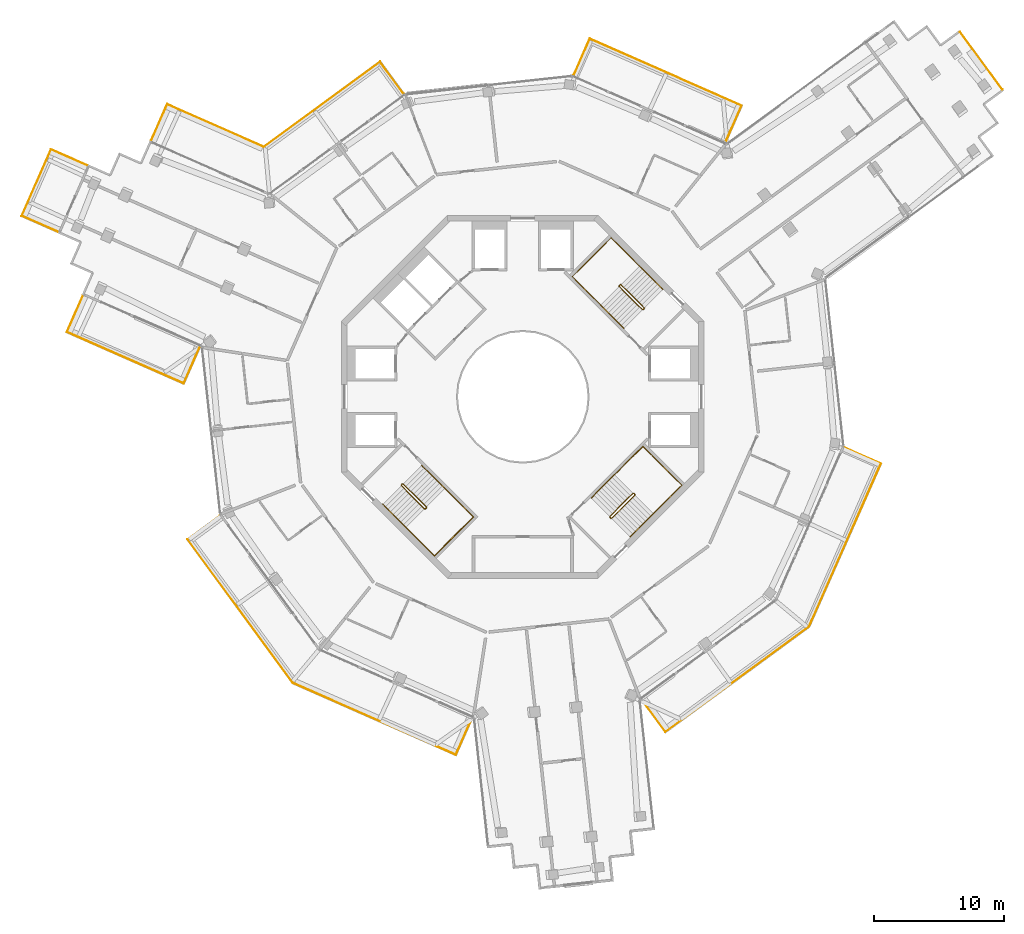
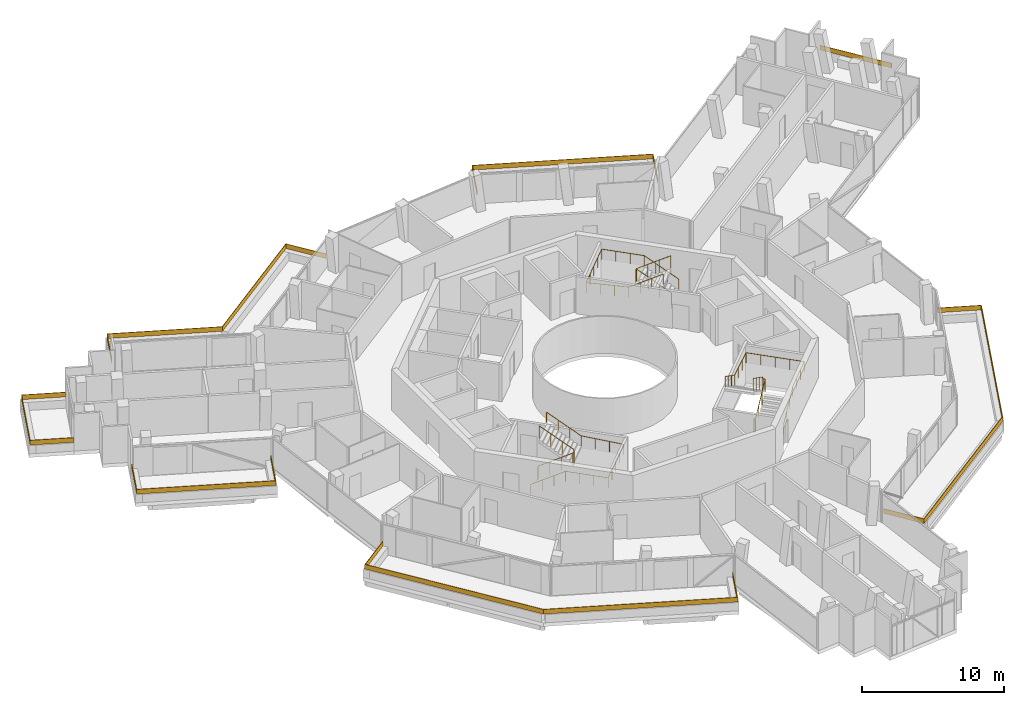
# One storey, part 24 of 24: 13 railings.
"""IFC4 building model written with IfcOpenShell, lengths in metres."""

import ifcopenshell
import ifcopenshell.guid

model = None  # the IFC model being written
_history = None  # IfcOwnerHistory: only IFC2X3 demands one
_inside = {}  # id of a spatial element -> (the spatial element, [elements in it])
_under = {}  # id of a project, library or spatial element -> (it, [spatial elements below it])
_declared = {}  # id of a project -> (the project, [libraries it declares])
_typed = {}  # id of a type object -> (the type object, [elements of that type])
_made_of = {}  # id of a material, layer set ... -> (it, [elements and type objects made of it])


def new_model(schema):
    """Start an empty IFC model of exactly this schema.

    Asked for "IFC4X3", IfcOpenShell would pick the latest addendum, in which some entities
    have other attributes; the version numbers below select the first issue.
    IFC2X3 requires an IfcOwnerHistory on every rooted entity: one is made here for all.
    """
    global model, _history
    if schema == "IFC4X3":
        model = ifcopenshell.file(schema_version=(4, 3, 0, 0))
    else:
        model = ifcopenshell.file(schema=schema)
    _inside.clear()
    _under.clear()
    _declared.clear()
    _typed.clear()
    _made_of.clear()
    _history = None
    if model.schema == "IFC2X3":
        org = make("IfcOrganization", Name="unknown")
        user = make(
            "IfcPersonAndOrganization",
            ThePerson=make("IfcPerson", FamilyName="unknown"),
            TheOrganization=org,
        )
        app = make(
            "IfcApplication",
            ApplicationDeveloper=org,
            Version="unknown",
            ApplicationFullName="unknown",
            ApplicationIdentifier="unknown",
        )
        _history = make(
            "IfcOwnerHistory",
            OwningUser=user,
            OwningApplication=app,
            ChangeAction="ADDED",
            CreationDate=0,
        )
    return model


def make(cls, **values):
    """One entity of the class cls with the attributes given. An attribute that is None is left unset."""
    return model.create_entity(
        cls, **{name: value for name, value in values.items() if value is not None}
    )


def rooted(cls, **values):
    """An entity with a GlobalId (a new one), such as an element, a storey or a relation."""
    return make(cls, GlobalId=ifcopenshell.guid.new(), OwnerHistory=_history, **values)


def si_unit(unit_type, name, prefix=None):
    """IfcSIUnit, for example si_unit("LENGTHUNIT", "METRE", prefix="MILLI")."""
    return make("IfcSIUnit", UnitType=unit_type, Prefix=prefix, Name=name)


def assignment(units):
    """IfcUnitAssignment: the units of a project."""
    return None if units is None else make("IfcUnitAssignment", Units=units)


def point(xyz):
    """IfcCartesianPoint."""
    return None if xyz is None else make("IfcCartesianPoint", Coordinates=xyz)


def direction(xyz):
    """IfcDirection."""
    return None if xyz is None else make("IfcDirection", DirectionRatios=xyz)


def frame(location, z_axis=None, x_axis=None):
    """IfcAxis2Placement3D, a coordinate frame: its origin and axes. An axis left out is left unset."""
    return make(
        "IfcAxis2Placement3D",
        Location=point(location),
        Axis=direction(z_axis),
        RefDirection=direction(x_axis),
    )


def frame_2d(location, x_axis=None):
    """IfcAxis2Placement2D, a coordinate frame in the plane: its origin and x axis."""
    return make(
        "IfcAxis2Placement2D", Location=point(location), RefDirection=direction(x_axis)
    )


def origin():
    """The frame at (0, 0, 0) with its axes left unset."""
    return frame((0.0, 0.0, 0.0))


def origin_2d():
    """The frame at (0, 0) in the plane with its x axis left unset."""
    return frame_2d((0.0, 0.0))


def place(relative_to, where):
    """IfcLocalPlacement: puts the frame where relative to a parent placement (None: the world)."""
    return make(
        "IfcLocalPlacement", PlacementRelTo=relative_to, RelativePlacement=where
    )


def context(
    kind, dimensions, precision=None, world=None, true_north=None, identifier=None
):
    """IfcGeometricRepresentationContext, for example the 3D "Model" context."""
    return make(
        "IfcGeometricRepresentationContext",
        ContextIdentifier=identifier,
        ContextType=kind,
        CoordinateSpaceDimension=dimensions,
        Precision=precision,
        WorldCoordinateSystem=world,
        TrueNorth=true_north,
    )


def subcontext(parent, identifier, kind, view, scale=None):
    """IfcGeometricRepresentationSubContext, for example "Body" below "Model"."""
    return make(
        "IfcGeometricRepresentationSubContext",
        ContextIdentifier=identifier,
        ContextType=kind,
        ParentContext=parent,
        TargetScale=scale,
        TargetView=view,
    )


def project(units=None, contexts=None):
    """IfcProject with its units and contexts."""
    return rooted(
        "IfcProject",
        Name="project",
        RepresentationContexts=contexts,
        UnitsInContext=assignment(units),
    )


def spatial(cls, under=None, at=None, **own):
    """A site, building, storey or space (cls), placed at a placement, below another one or the project."""
    s = rooted(cls, ObjectPlacement=at, **own)
    if under is not None:
        _under.setdefault(under.id(), (under, []))[1].append(s)
    return s


def polyline(points):
    """IfcPolyline through the points."""
    return make("IfcPolyline", Points=[point(p) for p in points])


def profile(cls, at=None, kind="AREA", **sizes):
    """A parametric profile (cls). Its sizes go by their IFC names, for example OverallWidth=200.0."""
    return make(cls, ProfileType=kind, Position=at, **sizes)


def rectangle(**sizes):
    """IfcRectangleProfileDef."""
    return profile("IfcRectangleProfileDef", **sizes)


def circle(**sizes):
    """IfcCircleProfileDef."""
    return profile("IfcCircleProfileDef", **sizes)


def outline(outer, holes=None, kind="AREA"):
    """IfcArbitraryClosedProfileDef: a profile drawn as a closed curve; with holes, ...WithVoids."""
    if holes is None:
        return make("IfcArbitraryClosedProfileDef", ProfileType=kind, OuterCurve=outer)
    return make(
        "IfcArbitraryProfileDefWithVoids",
        ProfileType=kind,
        OuterCurve=outer,
        InnerCurves=holes,
    )


def extrude(swept, where, along, depth):
    """IfcExtrudedAreaSolid: the profile swept, set in the frame where, extruded along a direction by depth."""
    return make(
        "IfcExtrudedAreaSolid",
        SweptArea=swept,
        Position=where,
        ExtrudedDirection=direction(along),
        Depth=depth,
    )


def shape(context_of_items, identifier, shape_type, items):
    """IfcShapeRepresentation: the items that make up one representation, for example the "Body"."""
    return make(
        "IfcShapeRepresentation",
        ContextOfItems=context_of_items,
        RepresentationIdentifier=identifier,
        RepresentationType=shape_type,
        Items=items,
    )


def material(Name=None, Category=None):
    """IfcMaterial."""
    return make("IfcMaterial", Name=Name, Category=Category)


def layer(
    of_material, thickness, ventilated=None, Name=None, Category=None, Priority=None
):
    """IfcMaterialLayer: one layer of a wall or slab, of a material (None: an air gap)."""
    return make(
        "IfcMaterialLayer",
        Material=of_material,
        LayerThickness=thickness,
        IsVentilated=ventilated,
        Name=Name,
        Category=Category,
        Priority=Priority,
    )


def layer_set(layers, Name=None):
    """IfcMaterialLayerSet."""
    return make("IfcMaterialLayerSet", MaterialLayers=layers, LayerSetName=Name)


def made_of(thing, what):
    """Note that an element or type object is made of a material, layer set ...; save() writes the relation."""
    if what is not None:
        _made_of.setdefault(what.id(), (what, []))[1].append(thing)
    return thing


def type_object(cls, material=None, **own):
    """A type object (cls), such as IfcWallType, which elements share."""
    return made_of(rooted(cls, **own), material)


def element(
    cls,
    number,
    at=None,
    inside=None,
    cuts=None,
    type_object=None,
    material=None,
    context=None,
    identifier="Body",
    shape_type=None,
    held_by="IfcProductDefinitionShape",
    body=None,
    shapes=None,
    **own,
):
    """One element of the class cls, such as IfcWall. Its Tag is "e" and its number.

    at: its placement. inside: the storey or other place that contains it. cuts: it is an
    opening in that element (IfcRelVoidsElement). A single representation is given by context,
    identifier, shape_type and body (its items); several are given by shapes. held_by: the class
    of the entity that holds the representations. save() writes the other relations.
    """
    e = rooted(cls, Tag="e%d" % number, ObjectPlacement=at, **own)
    if body is not None:
        shapes = [shape(context, identifier, shape_type, body)]
    if shapes is not None:
        e.Representation = make(held_by, Representations=shapes)
    if inside is not None:
        _inside.setdefault(inside.id(), (inside, []))[1].append(e)
    if cuts is not None:
        rooted(
            "IfcRelVoidsElement", RelatingBuildingElement=cuts, RelatedOpeningElement=e
        )
    if type_object is not None:
        _typed.setdefault(type_object.id(), (type_object, []))[1].append(e)
    return made_of(e, material)


def aggregate(whole, parts):
    """IfcRelAggregates: a whole, such as a stair, and the parts it consists of."""
    return rooted("IfcRelAggregates", RelatingObject=whole, RelatedObjects=parts)


def save(model, path):
    """Write the relations noted so far, then the file.

    IfcRelAggregates (storeys below a building ...), IfcRelContainedInSpatialStructure (elements
    in a storey), IfcRelDefinesByType, IfcRelAssociatesMaterial and IfcRelDeclares: one each for
    every whole, place, type object, material and project.
    """
    for whole, parts in _under.values():
        aggregate(whole, parts)
    for where, things in _inside.values():
        rooted(
            "IfcRelContainedInSpatialStructure",
            RelatedElements=things,
            RelatingStructure=where,
        )
    for kind, things in _typed.values():
        rooted("IfcRelDefinesByType", RelatedObjects=things, RelatingType=kind)
    for what, things in _made_of.values():
        rooted("IfcRelAssociatesMaterial", RelatedObjects=things, RelatingMaterial=what)
    for by, libraries in _declared.values():
        rooted("IfcRelDeclares", RelatingContext=by, RelatedDefinitions=libraries)
    model.write(path)


model = new_model("IFC4")

# Units and contexts
model_context = context("Model", 3, precision=1e-05, world=origin(), true_north=direction((0.0, 1.0)))
body_context = subcontext(model_context, "Body", "Model", "MODEL_VIEW")
ifc_project = project(units=[si_unit("LENGTHUNIT", "METRE"), si_unit("AREAUNIT", "SQUARE_METRE"), si_unit("VOLUMEUNIT", "CUBIC_METRE"), si_unit("PLANEANGLEUNIT", "RADIAN"), si_unit("MASSUNIT", "GRAM", prefix="KILO")], contexts=[model_context])

# Site, building, storey
site_placement = place(None, origin())
site = spatial("IfcSite", under=ifc_project, at=site_placement, CompositionType="ELEMENT")
building_placement = place(site_placement, origin())
building = spatial("IfcBuilding", under=site, at=building_placement, Name="Verdalira Terraces Hotel", CompositionType="ELEMENT")
storey_placement = place(building_placement, frame((0.0, 0.0, 303.0)))
storey = spatial("IfcBuildingStorey", under=building, at=storey_placement, Name="L75", CompositionType="ELEMENT", Elevation=303.0)

# Railings
ifc_material_1 = material(Name="Laminated glass", Category="glass")
ifc_layer = layer(ifc_material_1, 0.0400390625)
ifc_layer_set = layer_set([ifc_layer], Name="Balcony glass guard 400")
railing_type_1 = type_object("IfcRailingType", Name="Balcony glass guard 400", PredefinedType="GUARDRAIL", material=ifc_layer_set)
railing_1_placement = place(storey_placement, frame((0.0, 0.0, 0.699951)))
element("IfcRailing", 1, at=railing_1_placement, inside=storey, type_object=railing_type_1, Name="Balcony glass guard", PredefinedType="GUARDRAIL", context=body_context, shape_type="SweptSolid", body=[
    extrude(outline(polyline([(-36.389893, 19.056885), (-38.629883, 13.968262), (-35.812012, 12.727539), (-35.828125, 12.690918), (-38.682617, 13.947754), (-36.410156, 19.109619), (-33.555664, 17.853027), (-33.571777, 17.816406), (-36.389893, 19.056885)])), origin(), (0.0, 0.0, 1.0), 0.400146),
])
railing_2_placement = place(storey_placement, frame((0.0, 0.0, 0.699951)))
element("IfcRailing", 2, at=railing_2_placement, inside=storey, type_object=railing_type_1, Name="Balcony glass guard", PredefinedType="GUARDRAIL", context=body_context, shape_type="SweptSolid", body=[
    extrude(outline(polyline([(-35.145996, 5.004883), (-26.171875, 1.054199), (-24.931396, 3.872314), (-24.894775, 3.856201), (-26.151367, 1.001465), (-35.19873, 4.984375), (-33.942139, 7.838867), (-33.905518, 7.822754), (-35.145996, 5.004883)])), origin(), (0.0, 0.0, 1.0), 0.400146),
])
railing_3_placement = place(storey_placement, frame((0.0, 0.0, 0.699951)))
element("IfcRailing", 3, at=railing_3_placement, inside=storey, type_object=railing_type_1, Name="Balcony glass guard", PredefinedType="GUARDRAIL", context=body_context, shape_type="SweptSolid", body=[
    extrude(outline(polyline([(-25.821289, -11.015869), (-17.719238, -22.069824), (-5.175537, -27.591797), (-3.935059, -24.773682), (-3.898438, -24.789795), (-5.155029, -27.644531), (-17.745117, -22.102051), (-25.877197, -11.00708), (-23.361572, -9.16333), (-23.337891, -9.195557), (-25.821289, -11.015869)])), origin(), (0.0, 0.0, 1.0), 0.400146),
])
railing_4_placement = place(storey_placement, frame((0.0, 0.0, 0.699951)))
element("IfcRailing", 4, at=railing_4_placement, inside=storey, type_object=railing_type_1, Name="Balcony glass guard", PredefinedType="GUARDRAIL", context=body_context, shape_type="SweptSolid", body=[
    extrude(outline(polyline([(11.015869, -25.821289), (22.069824, -17.719238), (27.591797, -5.175537), (24.773682, -3.935059), (24.789795, -3.898438), (27.644531, -5.155029), (22.102051, -17.745117), (11.00708, -25.877197), (9.16333, -23.361572), (9.195557, -23.337891), (11.015869, -25.821289)])), origin(), (0.0, 0.0, 1.0), 0.400146),
])
railing_5_placement = place(storey_placement, frame((0.0, 0.0, 0.699951)))
element("IfcRailing", 5, at=railing_5_placement, inside=storey, type_object=railing_type_1, Name="Balcony glass guard", PredefinedType="GUARDRAIL", context=body_context, shape_type="SweptSolid", body=[
    extrude(outline(polyline([(16.854004, 22.450684), (5.175537, 27.591797), (3.935059, 24.773682), (3.898438, 24.789795), (5.155029, 27.644531), (16.906738, 22.471191), (15.650146, 19.616455), (15.613525, 19.632568), (16.854004, 22.450684)])), origin(), (0.0, 0.0, 1.0), 0.400146),
])
railing_6_placement = place(storey_placement, frame((0.0, 0.0, 0.699951)))
element("IfcRailing", 6, at=railing_6_placement, inside=storey, type_object=railing_type_1, Name="Balcony glass guard", PredefinedType="GUARDRAIL", context=body_context, shape_type="SweptSolid", body=[
    extrude(outline(polyline([(-11.015869, 25.821289), (-19.969971, 19.258301), (-27.42627, 22.540771), (-28.666992, 19.722656), (-28.703613, 19.73877), (-27.446777, 22.593506), (-19.974854, 19.304199), (-11.00708, 25.877197), (-9.16333, 23.361572), (-9.195557, 23.337891), (-11.015869, 25.821289)])), origin(), (0.0, 0.0, 1.0), 0.400146),
])
railing_7_placement = place(storey_placement, frame((35.370117, 25.924805, 0.699951), z_axis=(0.0, 0.0, 1.0), x_axis=(-0.591168888, 0.806547795, 0.0)))
element("IfcRailing", 7, at=railing_7_placement, inside=storey, type_object=railing_type_1, Name="Loggia glass guard", PredefinedType="GUARDRAIL", context=body_context, shape_type="SweptSolid", body=[
    extrude(rectangle(XDim=5.5, YDim=0.040039, at=origin_2d()), origin(), (0.0, 0.0, 1.0), 0.399902),
])
ifc_material_2 = material(Name="Stainless steel", Category="steel")
railing_type_2 = type_object("IfcRailingType", Name="Stair guard 1100", PredefinedType="GUARDRAIL", material=ifc_material_2)
railing_8_placement = place(storey_placement, frame((9.369141, 6.78833, 0.0)))
element("IfcRailing", 8, at=railing_8_placement, inside=storey, type_object=railing_type_2, Name="L75 ST1 stair guard 1", PredefinedType="GUARDRAIL", context=body_context, shape_type="SweptSolid", body=[
    extrude(circle(Radius=0.023926, at=origin_2d()), frame((0.0, 0.0, 1.076172), z_axis=(-0.707106781, -0.707106781, 0.0), x_axis=(0.707106781, -0.707106781, 0.0)), (0.0, 0.0, 1.0), 0.100098),
    extrude(circle(Radius=0.023926, at=origin_2d()), frame((-0.070801, -0.070801, 1.076172), z_axis=(0.300162975, 0.599290904, 0.742127078), x_axis=(-0.894118129, 0.447831187, 0.0)), (0.0, 0.0, 1.0), 0.23584),
    extrude(circle(Radius=0.023926, at=origin_2d()), frame((0.0, 0.070557, 1.250977), z_axis=(-0.599637504, 0.599637504, 0.52997144), x_axis=(-0.707106781, -0.707106781, 0.0)), (0.0, 0.0, 1.0), 2.97168),
    extrude(circle(Radius=0.023926, at=origin_2d()), frame((-1.781982, 1.852539, 2.826172), z_axis=(-1.0, 0.0, 0.0), x_axis=(0.0, -1.0, 0.0)), (0.0, 0.0, 1.0), 0.070557),
    extrude(circle(Radius=0.023926, at=origin_2d()), frame((-1.852539, 1.852539, 2.826172), z_axis=(-0.707106781, -0.707106781, 0.0), x_axis=(0.707106781, -0.707106781, 0.0)), (0.0, 0.0, 1.0), 0.100098),
    extrude(circle(Radius=0.023926, at=origin_2d()), frame((-1.92334, 1.781738, 2.826172), z_axis=(0.0, -0.373842709, 0.927492118), x_axis=(1.0, 0.0, 0.0)), (0.0, 0.0, 1.0), 0.188721),
    extrude(circle(Radius=0.023926, at=origin_2d()), frame((-1.92334, 1.711182, 3.000977), z_axis=(0.599637504, -0.599637504, 0.52997144), x_axis=(0.707106781, 0.707106781, 0.0)), (0.0, 0.0, 1.0), 2.97168),
    extrude(circle(Radius=0.020996, at=origin_2d()), origin(), (0.0, 0.0, 1.0), 1.052002),
    extrude(circle(Radius=0.020996, at=origin_2d()), frame((-0.070801, -0.070801, 0.0)), (0.0, 0.0, 1.0), 1.052002),
    extrude(circle(Radius=0.020996, at=origin_2d()), frame((0.0, 0.070557, 0.175049)), (0.0, 0.0, 1.0), 1.052002),
    extrude(circle(Radius=0.020996, at=origin_2d()), frame((-0.593994, 0.664551, 0.699951)), (0.0, 0.0, 1.0), 1.052002),
    extrude(circle(Radius=0.020996, at=origin_2d()), frame((-1.187988, 1.258545, 1.225098)), (0.0, 0.0, 1.0), 1.052002),
    extrude(circle(Radius=0.020996, at=origin_2d()), frame((-1.781982, 1.852539, 1.75)), (0.0, 0.0, 1.0), 1.052002),
    extrude(circle(Radius=0.020996, at=origin_2d()), frame((-1.852539, 1.852539, 1.75)), (0.0, 0.0, 1.0), 1.052002),
    extrude(circle(Radius=0.020996, at=origin_2d()), frame((-1.92334, 1.781738, 1.75)), (0.0, 0.0, 1.0), 1.052002),
    extrude(circle(Radius=0.020996, at=origin_2d()), frame((-1.92334, 1.711182, 1.925049)), (0.0, 0.0, 1.0), 1.052002),
    extrude(circle(Radius=0.020996, at=origin_2d()), frame((-1.329346, 1.117188, 2.449951)), (0.0, 0.0, 1.0), 1.052002),
    extrude(circle(Radius=0.020996, at=origin_2d()), frame((-0.735352, 0.523193, 2.975098)), (0.0, 0.0, 1.0), 1.052002),
    extrude(circle(Radius=0.020996, at=origin_2d()), frame((-0.141357, -0.070801, 3.5)), (0.0, 0.0, 1.0), 1.052002),
])
railing_9_placement = place(storey_placement, frame((-9.369141, -6.78833, 0.0)))
element("IfcRailing", 9, at=railing_9_placement, inside=storey, type_object=railing_type_2, Name="L75 ST2 stair guard 1", PredefinedType="GUARDRAIL", context=body_context, shape_type="SweptSolid", body=[
    extrude(circle(Radius=0.023926, at=origin_2d()), frame((0.0, 0.0, 1.076172), z_axis=(0.707106781, 0.707106781, 0.0), x_axis=(-0.707106781, 0.707106781, 0.0)), (0.0, 0.0, 1.0), 0.100098),
    extrude(circle(Radius=0.023926, at=origin_2d()), frame((0.070801, 0.070801, 1.076172), z_axis=(-0.300162975, -0.599290904, 0.742127078), x_axis=(0.894118129, -0.447831187, 0.0)), (0.0, 0.0, 1.0), 0.23584),
    extrude(circle(Radius=0.023926, at=origin_2d()), frame((0.0, -0.070557, 1.250977), z_axis=(0.599637504, -0.599637504, 0.52997144), x_axis=(0.707106781, 0.707106781, 0.0)), (0.0, 0.0, 1.0), 2.97168),
    extrude(circle(Radius=0.023926, at=origin_2d()), frame((1.781982, -1.852539, 2.826172), z_axis=(1.0, 0.0, 0.0), x_axis=(0.0, 1.0, 0.0)), (0.0, 0.0, 1.0), 0.070557),
    extrude(circle(Radius=0.023926, at=origin_2d()), frame((1.852539, -1.852539, 2.826172), z_axis=(0.707106781, 0.707106781, 0.0), x_axis=(-0.707106781, 0.707106781, 0.0)), (0.0, 0.0, 1.0), 0.100098),
    extrude(circle(Radius=0.023926, at=origin_2d()), frame((1.92334, -1.781738, 2.826172), z_axis=(0.0, 0.373842709, 0.927492118), x_axis=(-1.0, 0.0, 0.0)), (0.0, 0.0, 1.0), 0.188721),
    extrude(circle(Radius=0.023926, at=origin_2d()), frame((1.92334, -1.711182, 3.000977), z_axis=(-0.599637504, 0.599637504, 0.52997144), x_axis=(-0.707106781, -0.707106781, 0.0)), (0.0, 0.0, 1.0), 2.97168),
    extrude(circle(Radius=0.020996, at=origin_2d()), origin(), (0.0, 0.0, 1.0), 1.052002),
    extrude(circle(Radius=0.020996, at=origin_2d()), frame((0.070801, 0.070801, 0.0)), (0.0, 0.0, 1.0), 1.052002),
    extrude(circle(Radius=0.020996, at=origin_2d()), frame((0.0, -0.070557, 0.175049)), (0.0, 0.0, 1.0), 1.052002),
    extrude(circle(Radius=0.020996, at=origin_2d()), frame((0.593994, -0.664551, 0.699951)), (0.0, 0.0, 1.0), 1.052002),
    extrude(circle(Radius=0.020996, at=origin_2d()), frame((1.187988, -1.258545, 1.225098)), (0.0, 0.0, 1.0), 1.052002),
    extrude(circle(Radius=0.020996, at=origin_2d()), frame((1.781982, -1.852539, 1.75)), (0.0, 0.0, 1.0), 1.052002),
    extrude(circle(Radius=0.020996, at=origin_2d()), frame((1.852539, -1.852539, 1.75)), (0.0, 0.0, 1.0), 1.052002),
    extrude(circle(Radius=0.020996, at=origin_2d()), frame((1.92334, -1.781738, 1.75)), (0.0, 0.0, 1.0), 1.052002),
    extrude(circle(Radius=0.020996, at=origin_2d()), frame((1.92334, -1.711182, 1.925049)), (0.0, 0.0, 1.0), 1.052002),
    extrude(circle(Radius=0.020996, at=origin_2d()), frame((1.329346, -1.117188, 2.449951)), (0.0, 0.0, 1.0), 1.052002),
    extrude(circle(Radius=0.020996, at=origin_2d()), frame((0.735352, -0.523193, 2.975098)), (0.0, 0.0, 1.0), 1.052002),
    extrude(circle(Radius=0.020996, at=origin_2d()), frame((0.141357, 0.070801, 3.5)), (0.0, 0.0, 1.0), 1.052002),
])
railing_10_placement = place(storey_placement, frame((6.78833, -9.369141, 0.0)))
element("IfcRailing", 10, at=railing_10_placement, inside=storey, type_object=railing_type_2, Name="L75 ST3 stair guard 1", PredefinedType="GUARDRAIL", context=body_context, shape_type="SweptSolid", body=[
    extrude(circle(Radius=0.023926, at=origin_2d()), frame((0.0, 0.0, 1.076172), z_axis=(-0.707106781, 0.707106781, 0.0), x_axis=(-0.707106781, -0.707106781, 0.0)), (0.0, 0.0, 1.0), 0.100098),
    extrude(circle(Radius=0.023926, at=origin_2d()), frame((-0.070801, 0.070801, 1.076172), z_axis=(0.599290904, -0.300162975, 0.742127078), x_axis=(0.447831187, 0.894118129, 0.0)), (0.0, 0.0, 1.0), 0.23584),
    extrude(circle(Radius=0.023926, at=origin_2d()), frame((0.070557, 0.0, 1.250977), z_axis=(0.599637504, 0.599637504, 0.52997144), x_axis=(-0.707106781, 0.707106781, 0.0)), (0.0, 0.0, 1.0), 2.97168),
    extrude(circle(Radius=0.023926, at=origin_2d()), frame((1.852539, 1.781982, 2.826172), z_axis=(0.0, 1.0, 0.0), x_axis=(-1.0, 0.0, 0.0)), (0.0, 0.0, 1.0), 0.070557),
    extrude(circle(Radius=0.023926, at=origin_2d()), frame((1.852539, 1.852539, 2.826172), z_axis=(-0.707106781, 0.707106781, 0.0), x_axis=(-0.707106781, -0.707106781, 0.0)), (0.0, 0.0, 1.0), 0.100098),
    extrude(circle(Radius=0.023926, at=origin_2d()), frame((1.781738, 1.92334, 2.826172), z_axis=(-0.373842709, 0.0, 0.927492118), x_axis=(0.0, -1.0, 0.0)), (0.0, 0.0, 1.0), 0.188721),
    extrude(circle(Radius=0.023926, at=origin_2d()), frame((1.711182, 1.92334, 3.000977), z_axis=(-0.599637504, -0.599637504, 0.52997144), x_axis=(0.707106781, -0.707106781, 0.0)), (0.0, 0.0, 1.0), 2.97168),
    extrude(circle(Radius=0.020996, at=origin_2d()), origin(), (0.0, 0.0, 1.0), 1.052002),
    extrude(circle(Radius=0.020996, at=origin_2d()), frame((-0.070801, 0.070801, 0.0)), (0.0, 0.0, 1.0), 1.052002),
    extrude(circle(Radius=0.020996, at=origin_2d()), frame((0.070557, 0.0, 0.175049)), (0.0, 0.0, 1.0), 1.052002),
    extrude(circle(Radius=0.020996, at=origin_2d()), frame((0.664551, 0.593994, 0.699951)), (0.0, 0.0, 1.0), 1.052002),
    extrude(circle(Radius=0.020996, at=origin_2d()), frame((1.258545, 1.187988, 1.225098)), (0.0, 0.0, 1.0), 1.052002),
    extrude(circle(Radius=0.020996, at=origin_2d()), frame((1.852539, 1.781982, 1.75)), (0.0, 0.0, 1.0), 1.052002),
    extrude(circle(Radius=0.020996, at=origin_2d()), frame((1.852539, 1.852539, 1.75)), (0.0, 0.0, 1.0), 1.052002),
    extrude(circle(Radius=0.020996, at=origin_2d()), frame((1.781738, 1.92334, 1.75)), (0.0, 0.0, 1.0), 1.052002),
    extrude(circle(Radius=0.020996, at=origin_2d()), frame((1.711182, 1.92334, 1.925049)), (0.0, 0.0, 1.0), 1.052002),
    extrude(circle(Radius=0.020996, at=origin_2d()), frame((1.117188, 1.329346, 2.449951)), (0.0, 0.0, 1.0), 1.052002),
    extrude(circle(Radius=0.020996, at=origin_2d()), frame((0.523193, 0.735352, 2.975098)), (0.0, 0.0, 1.0), 1.052002),
    extrude(circle(Radius=0.020996, at=origin_2d()), frame((-0.070801, 0.141357, 3.5)), (0.0, 0.0, 1.0), 1.052002),
])
ifc_material_3 = material(Name="Stainless steel", Category="steel")
railing_type_3 = type_object("IfcRailingType", Name="Stair handrail 900", PredefinedType="HANDRAIL", material=ifc_material_3)
railing_11_placement = place(storey_placement, frame((10.801025, 8.290771, 0.175049)))
element("IfcRailing", 11, at=railing_11_placement, inside=storey, type_object=railing_type_3, Name="L75 ST1 stair handrail 1", PredefinedType="HANDRAIL", context=body_context, shape_type="SweptSolid", body=[
    extrude(circle(Radius=0.023926, at=origin_2d()), frame((0.0, 0.0, 0.875977), z_axis=(-0.599637504, 0.599637504, 0.52997144), x_axis=(-0.707106781, -0.707106781, 0.0)), (0.0, 0.0, 1.0), 2.97168),
    extrude(circle(Radius=0.023926, at=origin_2d()), frame((-1.781982, 1.781982, 2.450684), z_axis=(-0.707106781, 0.707106781, 0.0), x_axis=(-0.707106781, -0.707106781, 0.0)), (0.0, 0.0, 1.0), 3.10498),
    extrude(circle(Radius=0.023926, at=origin_2d()), frame((-3.977539, 3.977539, 2.450684), z_axis=(-0.707106781, -0.707106781, 0.0), x_axis=(0.707106781, -0.707106781, 0.0)), (0.0, 0.0, 1.0), 4.25),
    extrude(circle(Radius=0.023926, at=origin_2d()), frame((-6.982666, 0.972412, 2.450684), z_axis=(0.705985743, -0.705985743, 0.05628731), x_axis=(0.707106781, 0.707106781, 0.0)), (0.0, 0.0, 1.0), 3.109863),
    extrude(circle(Radius=0.023926, at=origin_2d()), frame((-4.787109, -1.223145, 2.625977), z_axis=(0.599637504, -0.599637504, 0.52997144), x_axis=(0.707106781, 0.707106781, 0.0)), (0.0, 0.0, 1.0), 2.97168),
    extrude(circle(Radius=0.020996, at=origin_2d()), origin(), (0.0, 0.0, 1.0), 0.851807),
    extrude(circle(Radius=0.020996, at=origin_2d()), frame((-0.593994, 0.593994, 0.524902)), (0.0, 0.0, 1.0), 0.851807),
    extrude(circle(Radius=0.020996, at=origin_2d()), frame((-1.187988, 1.187988, 1.050049)), (0.0, 0.0, 1.0), 0.851807),
    extrude(circle(Radius=0.020996, at=origin_2d()), frame((-1.781982, 1.781982, 1.574951)), (0.0, 0.0, 1.0), 0.851807),
    extrude(circle(Radius=0.020996, at=origin_2d()), frame((-2.513916, 2.513916, 1.574951)), (0.0, 0.0, 1.0), 0.851807),
    extrude(circle(Radius=0.020996, at=origin_2d()), frame((-3.245605, 3.245605, 1.574951)), (0.0, 0.0, 1.0), 0.851807),
    extrude(circle(Radius=0.020996, at=origin_2d()), frame((-3.977539, 3.977539, 1.574951)), (0.0, 0.0, 1.0), 0.851807),
    extrude(circle(Radius=0.020996, at=origin_2d()), frame((-4.72876, 3.226318, 1.574951)), (0.0, 0.0, 1.0), 0.851807),
    extrude(circle(Radius=0.020996, at=origin_2d()), frame((-5.47998, 2.475098, 1.574951)), (0.0, 0.0, 1.0), 0.851807),
    extrude(circle(Radius=0.020996, at=origin_2d()), frame((-6.231445, 1.723633, 1.574951)), (0.0, 0.0, 1.0), 0.851807),
    extrude(circle(Radius=0.020996, at=origin_2d()), frame((-6.982666, 0.972412, 1.574951)), (0.0, 0.0, 1.0), 0.851807),
    extrude(circle(Radius=0.020996, at=origin_2d()), frame((-6.250732, 0.240479, 1.633301)), (0.0, 0.0, 1.0), 0.851807),
    extrude(circle(Radius=0.020996, at=origin_2d()), frame((-5.519043, -0.491211, 1.69165)), (0.0, 0.0, 1.0), 0.851807),
    extrude(circle(Radius=0.020996, at=origin_2d()), frame((-4.787109, -1.223145, 1.75)), (0.0, 0.0, 1.0), 0.851807),
    extrude(circle(Radius=0.020996, at=origin_2d()), frame((-4.193115, -1.817139, 2.274902)), (0.0, 0.0, 1.0), 0.851807),
    extrude(circle(Radius=0.020996, at=origin_2d()), frame((-3.599121, -2.411133, 2.800049)), (0.0, 0.0, 1.0), 0.851807),
    extrude(circle(Radius=0.020996, at=origin_2d()), frame((-3.005127, -3.005127, 3.324951)), (0.0, 0.0, 1.0), 0.851807),
])
railing_12_placement = place(storey_placement, frame((-10.801025, -8.290771, 0.175049)))
element("IfcRailing", 12, at=railing_12_placement, inside=storey, type_object=railing_type_3, Name="L75 ST2 stair handrail 1", PredefinedType="HANDRAIL", context=body_context, shape_type="SweptSolid", body=[
    extrude(circle(Radius=0.023926, at=origin_2d()), frame((0.0, 0.0, 0.875977), z_axis=(0.599637504, -0.599637504, 0.52997144), x_axis=(0.707106781, 0.707106781, 0.0)), (0.0, 0.0, 1.0), 2.97168),
    extrude(circle(Radius=0.023926, at=origin_2d()), frame((1.781982, -1.781982, 2.450684), z_axis=(0.707106781, -0.707106781, 0.0), x_axis=(0.707106781, 0.707106781, 0.0)), (0.0, 0.0, 1.0), 3.10498),
    extrude(circle(Radius=0.023926, at=origin_2d()), frame((3.977539, -3.977539, 2.450684), z_axis=(0.707106781, 0.707106781, 0.0), x_axis=(-0.707106781, 0.707106781, 0.0)), (0.0, 0.0, 1.0), 4.25),
    extrude(circle(Radius=0.023926, at=origin_2d()), frame((6.982666, -0.972412, 2.450684), z_axis=(-0.705985743, 0.705985743, 0.05628731), x_axis=(-0.707106781, -0.707106781, 0.0)), (0.0, 0.0, 1.0), 3.109863),
    extrude(circle(Radius=0.023926, at=origin_2d()), frame((4.787109, 1.223145, 2.625977), z_axis=(-0.599637504, 0.599637504, 0.52997144), x_axis=(-0.707106781, -0.707106781, 0.0)), (0.0, 0.0, 1.0), 2.97168),
    extrude(circle(Radius=0.020996, at=origin_2d()), origin(), (0.0, 0.0, 1.0), 0.851807),
    extrude(circle(Radius=0.020996, at=origin_2d()), frame((0.593994, -0.593994, 0.524902)), (0.0, 0.0, 1.0), 0.851807),
    extrude(circle(Radius=0.020996, at=origin_2d()), frame((1.187988, -1.187988, 1.050049)), (0.0, 0.0, 1.0), 0.851807),
    extrude(circle(Radius=0.020996, at=origin_2d()), frame((1.781982, -1.781982, 1.574951)), (0.0, 0.0, 1.0), 0.851807),
    extrude(circle(Radius=0.020996, at=origin_2d()), frame((2.513916, -2.513916, 1.574951)), (0.0, 0.0, 1.0), 0.851807),
    extrude(circle(Radius=0.020996, at=origin_2d()), frame((3.245605, -3.245605, 1.574951)), (0.0, 0.0, 1.0), 0.851807),
    extrude(circle(Radius=0.020996, at=origin_2d()), frame((3.977539, -3.977539, 1.574951)), (0.0, 0.0, 1.0), 0.851807),
    extrude(circle(Radius=0.020996, at=origin_2d()), frame((4.72876, -3.226318, 1.574951)), (0.0, 0.0, 1.0), 0.851807),
    extrude(circle(Radius=0.020996, at=origin_2d()), frame((5.47998, -2.475098, 1.574951)), (0.0, 0.0, 1.0), 0.851807),
    extrude(circle(Radius=0.020996, at=origin_2d()), frame((6.231445, -1.723633, 1.574951)), (0.0, 0.0, 1.0), 0.851807),
    extrude(circle(Radius=0.020996, at=origin_2d()), frame((6.982666, -0.972412, 1.574951)), (0.0, 0.0, 1.0), 0.851807),
    extrude(circle(Radius=0.020996, at=origin_2d()), frame((6.250732, -0.240479, 1.633301)), (0.0, 0.0, 1.0), 0.851807),
    extrude(circle(Radius=0.020996, at=origin_2d()), frame((5.519043, 0.491211, 1.69165)), (0.0, 0.0, 1.0), 0.851807),
    extrude(circle(Radius=0.020996, at=origin_2d()), frame((4.787109, 1.223145, 1.75)), (0.0, 0.0, 1.0), 0.851807),
    extrude(circle(Radius=0.020996, at=origin_2d()), frame((4.193115, 1.817139, 2.274902)), (0.0, 0.0, 1.0), 0.851807),
    extrude(circle(Radius=0.020996, at=origin_2d()), frame((3.599121, 2.411133, 2.800049)), (0.0, 0.0, 1.0), 0.851807),
    extrude(circle(Radius=0.020996, at=origin_2d()), frame((3.005127, 3.005127, 3.324951)), (0.0, 0.0, 1.0), 0.851807),
])
railing_13_placement = place(storey_placement, frame((8.290771, -10.801025, 0.175049)))
element("IfcRailing", 13, at=railing_13_placement, inside=storey, type_object=railing_type_3, Name="L75 ST3 stair handrail 1", PredefinedType="HANDRAIL", context=body_context, shape_type="SweptSolid", body=[
    extrude(circle(Radius=0.023926, at=origin_2d()), frame((0.0, 0.0, 0.875977), z_axis=(0.599637504, 0.599637504, 0.52997144), x_axis=(-0.707106781, 0.707106781, 0.0)), (0.0, 0.0, 1.0), 2.97168),
    extrude(circle(Radius=0.023926, at=origin_2d()), frame((1.781982, 1.781982, 2.450684), z_axis=(0.707106781, 0.707106781, 0.0), x_axis=(-0.707106781, 0.707106781, 0.0)), (0.0, 0.0, 1.0), 3.10498),
    extrude(circle(Radius=0.023926, at=origin_2d()), frame((3.977539, 3.977539, 2.450684), z_axis=(-0.707106781, 0.707106781, 0.0), x_axis=(-0.707106781, -0.707106781, 0.0)), (0.0, 0.0, 1.0), 4.25),
    extrude(circle(Radius=0.023926, at=origin_2d()), frame((0.972412, 6.982666, 2.450684), z_axis=(-0.705985743, -0.705985743, 0.05628731), x_axis=(0.707106781, -0.707106781, 0.0)), (0.0, 0.0, 1.0), 3.109863),
    extrude(circle(Radius=0.023926, at=origin_2d()), frame((-1.223145, 4.787109, 2.625977), z_axis=(-0.599637504, -0.599637504, 0.52997144), x_axis=(0.707106781, -0.707106781, 0.0)), (0.0, 0.0, 1.0), 2.97168),
    extrude(circle(Radius=0.020996, at=origin_2d()), origin(), (0.0, 0.0, 1.0), 0.851807),
    extrude(circle(Radius=0.020996, at=origin_2d()), frame((0.593994, 0.593994, 0.524902)), (0.0, 0.0, 1.0), 0.851807),
    extrude(circle(Radius=0.020996, at=origin_2d()), frame((1.187988, 1.187988, 1.050049)), (0.0, 0.0, 1.0), 0.851807),
    extrude(circle(Radius=0.020996, at=origin_2d()), frame((1.781982, 1.781982, 1.574951)), (0.0, 0.0, 1.0), 0.851807),
    extrude(circle(Radius=0.020996, at=origin_2d()), frame((2.513916, 2.513916, 1.574951)), (0.0, 0.0, 1.0), 0.851807),
    extrude(circle(Radius=0.020996, at=origin_2d()), frame((3.245605, 3.245605, 1.574951)), (0.0, 0.0, 1.0), 0.851807),
    extrude(circle(Radius=0.020996, at=origin_2d()), frame((3.977539, 3.977539, 1.574951)), (0.0, 0.0, 1.0), 0.851807),
    extrude(circle(Radius=0.020996, at=origin_2d()), frame((3.226318, 4.72876, 1.574951)), (0.0, 0.0, 1.0), 0.851807),
    extrude(circle(Radius=0.020996, at=origin_2d()), frame((2.475098, 5.47998, 1.574951)), (0.0, 0.0, 1.0), 0.851807),
    extrude(circle(Radius=0.020996, at=origin_2d()), frame((1.723633, 6.231445, 1.574951)), (0.0, 0.0, 1.0), 0.851807),
    extrude(circle(Radius=0.020996, at=origin_2d()), frame((0.972412, 6.982666, 1.574951)), (0.0, 0.0, 1.0), 0.851807),
    extrude(circle(Radius=0.020996, at=origin_2d()), frame((0.240479, 6.250732, 1.633301)), (0.0, 0.0, 1.0), 0.851807),
    extrude(circle(Radius=0.020996, at=origin_2d()), frame((-0.491211, 5.519043, 1.69165)), (0.0, 0.0, 1.0), 0.851807),
    extrude(circle(Radius=0.020996, at=origin_2d()), frame((-1.223145, 4.787109, 1.75)), (0.0, 0.0, 1.0), 0.851807),
    extrude(circle(Radius=0.020996, at=origin_2d()), frame((-1.817139, 4.193115, 2.274902)), (0.0, 0.0, 1.0), 0.851807),
    extrude(circle(Radius=0.020996, at=origin_2d()), frame((-2.411133, 3.599121, 2.800049)), (0.0, 0.0, 1.0), 0.851807),
    extrude(circle(Radius=0.020996, at=origin_2d()), frame((-3.005127, 3.005127, 3.324951)), (0.0, 0.0, 1.0), 0.851807),
])

save(model, "model.ifc")
